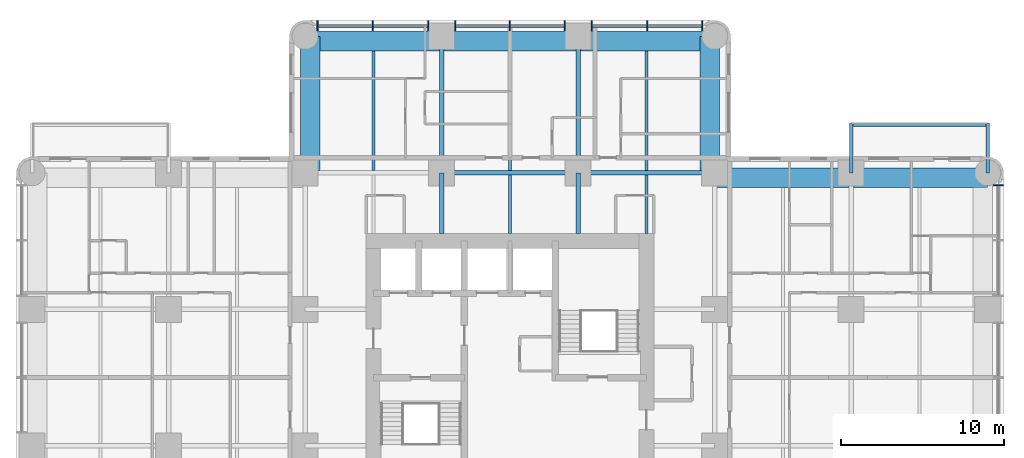
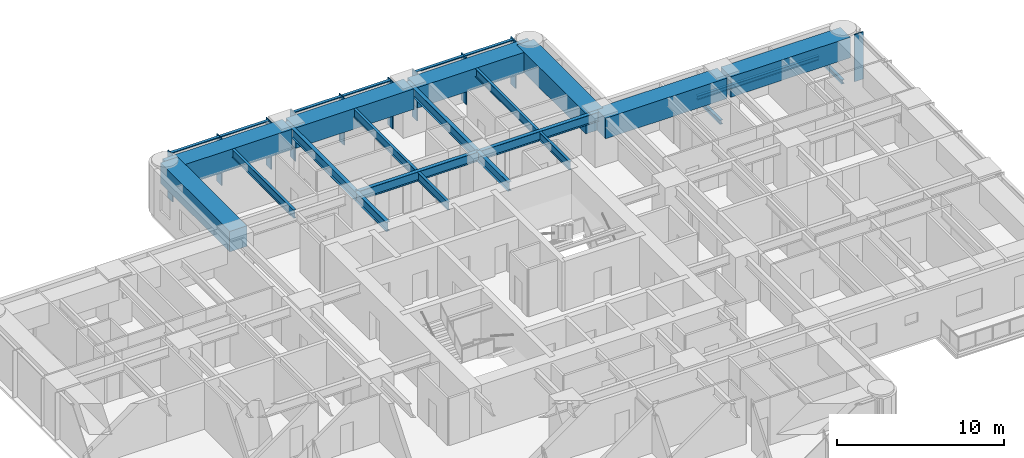
# One storey, part 4 of 15: 21 beams, 16 members, 2 elements without a shape of their own.
"""IFC4 building model written with IfcOpenShell, lengths in metres."""

from ifc_helpers import new_model, si_unit, direction, frame, origin, origin_2d, place, context, subcontext, project, spatial, rectangle, i_section, extrude, material, material_profile, profile_set, type_object, element, aggregate, save


model = new_model("IFC4")

# Units and contexts
model_context = context("Model", 3, precision=1e-05, world=origin(), true_north=direction((0.0, 1.0)))
body_context = subcontext(model_context, "Body", "Model", "MODEL_VIEW")
ifc_project = project(units=[si_unit("LENGTHUNIT", "METRE"), si_unit("AREAUNIT", "SQUARE_METRE"), si_unit("VOLUMEUNIT", "CUBIC_METRE"), si_unit("PLANEANGLEUNIT", "RADIAN"), si_unit("MASSUNIT", "GRAM", prefix="KILO")], contexts=[model_context])

# Site, building, storey
site_placement = place(None, origin())
site = spatial("IfcSite", under=ifc_project, at=site_placement, CompositionType="ELEMENT")
building_placement = place(site_placement, origin())
building = spatial("IfcBuilding", under=site, at=building_placement, Name="Torre Alcanfor", CompositionType="ELEMENT")
storey_placement = place(building_placement, frame((0.0, 0.0, 152.10009765625)))
storey = spatial("IfcBuildingStorey", under=building, at=storey_placement, Name="L39", CompositionType="ELEMENT", Elevation=152.10009765625)

# Beams
ifc_material_1 = material(Name="Steel ASTM A992 Grade 50", Category="steel")
ifc_material_profile_1 = material_profile(ifc_material_1, i_section(OverallWidth=0.205322265625, OverallDepth=0.309814453125, WebThickness=0.00927734375, FlangeThickness=0.016357421875, at=origin_2d()), Name="W12x50")
ifc_profile_set_1 = profile_set([ifc_material_profile_1], Name="Steel ASTM A992 Grade 50")
beam_type_1 = type_object("IfcBeamType", Name="Balcony cantilever beam W12x50", PredefinedType="BEAM", material=ifc_profile_set_1)
for number, where, z_axis, x_axis, name in (
    (1, (50.39990234375, 42.0, -0.35498046875), (0.0, 1.0, 0.0), (-1.0, 0.0, 0.0), "Balcony cantilever beam L39-E1 1"),
    (2, (58.800048828125, 42.0, -0.35498046875), (0.0, 1.0, 0.0), (-1.0, 0.0, 0.0), "Balcony cantilever beam L39-E1 2"),
):
    element("IfcBeam", number, at=place(storey_placement, frame(where, z_axis=z_axis, x_axis=x_axis)), inside=storey, type_object=beam_type_1, Name=name, PredefinedType="BEAM", context=body_context, shape_type="SweptSolid", body=[
        extrude(i_section(OverallWidth=0.205322265625, OverallDepth=0.309814453125, WebThickness=0.00927734375, FlangeThickness=0.016357421875, at=origin_2d()), origin(), (0.0, 0.0, 1.0), 3.050048828125),
    ])
ifc_material_2 = material(Name="Steel ASTM A992 Grade 50", Category="steel")
ifc_material_profile_2 = material_profile(ifc_material_2, i_section(OverallWidth=0.203369140625, OverallDepth=0.30224609375, WebThickness=0.007568359375, FlangeThickness=0.01318359375, at=origin_2d()), Name="W12x40")
ifc_profile_set_2 = profile_set([ifc_material_profile_2], Name="Steel ASTM A992 Grade 50")
beam_type_2 = type_object("IfcBeamType", Name="Balcony edge trimmer W12x40", PredefinedType="BEAM", material=ifc_profile_set_2)
beam_1_placement = place(storey_placement, frame((50.39990234375, 44.9482421875, -0.351318359375), z_axis=(1.0, 0.0, 0.0), x_axis=(0.0, 1.0, 0.0)))
element("IfcBeam", 3, at=beam_1_placement, inside=storey, type_object=beam_type_2, Name="Balcony edge trimmer L39-E1", PredefinedType="BEAM", context=body_context, shape_type="SweptSolid", body=[
    extrude(i_section(OverallWidth=0.203369140625, OverallDepth=0.30224609375, WebThickness=0.007568359375, FlangeThickness=0.01318359375, at=origin_2d()), origin(), (0.0, 0.0, 1.0), 8.400146484375),
])

# Curtain wall, member
ifc_material_3 = material(Name="Aluminium and glass", Category="aluminium")
curtain_wall_type = type_object("IfcCurtainWallType", Name="CW-A unitised apartment glazing with vertical FIN", PredefinedType="NOTDEFINED", material=ifc_material_3)
curtain_wall_1_placement = place(storey_placement, origin())
curtain_wall_1 = element("IfcCurtainWall", 4, at=curtain_wall_1_placement, inside=storey, type_object=curtain_wall_type, Name="Curtain wall CW-A L39 8", PredefinedType="NOTDEFINED")
ifc_material_4 = material(Name="Bronze anodised aluminium", Category="aluminium")
ifc_material_profile_3 = material_profile(ifc_material_4, rectangle(XDim=0.60009765625, YDim=0.06494140625, at=origin_2d()), Name="CW-A mullion 65x600")
ifc_profile_set_3 = profile_set([ifc_material_profile_3], Name="Bronze anodised aluminium")
member_type_1 = type_object("IfcMemberType", Name="CW-A mullion with vertical FIN 65x600", PredefinedType="MULLION", material=ifc_profile_set_3)
member_1_placement = place(storey_placement, frame((59.449951171875, 41.24267578125, 0.0), z_axis=(0.0, 0.0, 1.0), x_axis=(-1.0, 0.0, 0.0)))
member_1 = element("IfcMember", 5, at=member_1_placement, type_object=member_type_1, Name="CW-A mullion 3.3", PredefinedType="MULLION", context=body_context, shape_type="SweptSolid", body=[
    extrude(rectangle(XDim=0.60009765625, YDim=0.06494140625, at=origin_2d()), origin(), (0.0, 0.0, 1.0), 3.449951171875),
])
aggregate(curtain_wall_1, [member_1])

# Curtain wall, members
curtain_wall_2_placement = place(storey_placement, origin())
curtain_wall_2 = element("IfcCurtainWall", 6, at=curtain_wall_2_placement, inside=storey, type_object=curtain_wall_type, Name="Curtain wall CW-A L39 11", PredefinedType="NOTDEFINED")
member_2_placement = place(storey_placement, frame((41.24267578125, 51.050048828125, 0.0), z_axis=(0.0, 0.0, 1.0), x_axis=(0.0, -1.0, 0.0)))
member_2 = element("IfcMember", 7, at=member_2_placement, type_object=member_type_1, Name="CW-A mullion 1.1", PredefinedType="MULLION", context=body_context, shape_type="SweptSolid", body=[
    extrude(rectangle(XDim=0.60009765625, YDim=0.06494140625, at=origin_2d()), origin(), (0.0, 0.0, 1.0), 3.449951171875),
])
member_3_placement = place(storey_placement, frame((37.840087890625, 51.050048828125, 0.0), z_axis=(0.0, 0.0, 1.0), x_axis=(0.0, -1.0, 0.0)))
member_3 = element("IfcMember", 8, at=member_3_placement, type_object=member_type_1, Name="CW-A mullion 1.2", PredefinedType="MULLION", context=body_context, shape_type="SweptSolid", body=[
    extrude(rectangle(XDim=0.60009765625, YDim=0.06494140625, at=origin_2d()), origin(), (0.0, 0.0, 1.0), 3.449951171875),
])
member_4_placement = place(storey_placement, frame((34.4375, 51.050048828125, 0.0), z_axis=(0.0, 0.0, 1.0), x_axis=(0.0, -1.0, 0.0)))
member_4 = element("IfcMember", 9, at=member_4_placement, type_object=member_type_1, Name="CW-A mullion 1.3", PredefinedType="MULLION", context=body_context, shape_type="SweptSolid", body=[
    extrude(rectangle(XDim=0.60009765625, YDim=0.06494140625, at=origin_2d()), origin(), (0.0, 0.0, 1.0), 3.449951171875),
])
member_5_placement = place(storey_placement, frame((32.762451171875, 51.050048828125, 0.0), z_axis=(0.0, 0.0, 1.0), x_axis=(0.0, -1.0, 0.0)))
member_5 = element("IfcMember", 10, at=member_5_placement, type_object=member_type_1, Name="CW-A mullion 2.1", PredefinedType="MULLION", context=body_context, shape_type="SweptSolid", body=[
    extrude(rectangle(XDim=0.60009765625, YDim=0.06494140625, at=origin_2d()), origin(), (0.0, 0.0, 1.0), 3.449951171875),
])
member_6_placement = place(storey_placement, frame((29.39990234375, 51.050048828125, 0.0), z_axis=(0.0, 0.0, 1.0), x_axis=(0.0, -1.0, 0.0)))
member_6 = element("IfcMember", 11, at=member_6_placement, type_object=member_type_1, Name="CW-A mullion 2.2", PredefinedType="MULLION", context=body_context, shape_type="SweptSolid", body=[
    extrude(rectangle(XDim=0.60009765625, YDim=0.06494140625, at=origin_2d()), origin(), (0.0, 0.0, 1.0), 3.449951171875),
])
member_7_placement = place(storey_placement, frame((26.03759765625, 51.050048828125, 0.0), z_axis=(0.0, 0.0, 1.0), x_axis=(0.0, -1.0, 0.0)))
member_7 = element("IfcMember", 12, at=member_7_placement, type_object=member_type_1, Name="CW-A mullion 2.3", PredefinedType="MULLION", context=body_context, shape_type="SweptSolid", body=[
    extrude(rectangle(XDim=0.60009765625, YDim=0.06494140625, at=origin_2d()), origin(), (0.0, 0.0, 1.0), 3.449951171875),
])
member_8_placement = place(storey_placement, frame((24.362548828125, 51.050048828125, 0.0), z_axis=(0.0, 0.0, 1.0), x_axis=(0.0, -1.0, 0.0)))
member_8 = element("IfcMember", 13, at=member_8_placement, type_object=member_type_1, Name="CW-A mullion 3.1", PredefinedType="MULLION", context=body_context, shape_type="SweptSolid", body=[
    extrude(rectangle(XDim=0.60009765625, YDim=0.06494140625, at=origin_2d()), origin(), (0.0, 0.0, 1.0), 3.449951171875),
])
member_9_placement = place(storey_placement, frame((20.9599609375, 51.050048828125, 0.0), z_axis=(0.0, 0.0, 1.0), x_axis=(0.0, -1.0, 0.0)))
member_9 = element("IfcMember", 14, at=member_9_placement, type_object=member_type_1, Name="CW-A mullion 3.2", PredefinedType="MULLION", context=body_context, shape_type="SweptSolid", body=[
    extrude(rectangle(XDim=0.60009765625, YDim=0.06494140625, at=origin_2d()), origin(), (0.0, 0.0, 1.0), 3.449951171875),
])
member_10_placement = place(storey_placement, frame((17.557373046875, 51.050048828125, 0.0), z_axis=(0.0, 0.0, 1.0), x_axis=(0.0, -1.0, 0.0)))
member_10 = element("IfcMember", 15, at=member_10_placement, type_object=member_type_1, Name="CW-A mullion 3.3", PredefinedType="MULLION", context=body_context, shape_type="SweptSolid", body=[
    extrude(rectangle(XDim=0.60009765625, YDim=0.06494140625, at=origin_2d()), origin(), (0.0, 0.0, 1.0), 3.449951171875),
])
ifc_material_5 = material(Name="Extruded aluminium", Category="aluminium")
ifc_material_profile_4 = material_profile(ifc_material_5, rectangle(XDim=0.199951171875, YDim=0.06494140625, at=origin_2d()), Name="CW-A transom 200x65")
ifc_profile_set_4 = profile_set([ifc_material_profile_4], Name="Extruded aluminium")
member_type_2 = type_object("IfcMemberType", Name="CW-A transom 65x200", PredefinedType="USERDEFINED", material=ifc_profile_set_4)
member_11_placement = place(storey_placement, frame((41.210205078125, 51.050048828125, 3.41748046875), z_axis=(-1.0, 0.0, 0.0), x_axis=(0.0, -1.0, 0.0)))
member_11 = element("IfcMember", 16, at=member_11_placement, type_object=member_type_2, Name="CW-A transom 1.1.2", ObjectType="TRANSOM", PredefinedType="USERDEFINED", context=body_context, shape_type="SweptSolid", body=[
    extrude(rectangle(XDim=0.199951171875, YDim=0.06494140625, at=origin_2d()), origin(), (0.0, 0.0, 1.0), 3.337646484375),
])
member_12_placement = place(storey_placement, frame((37.8076171875, 51.050048828125, 3.41748046875), z_axis=(-1.0, 0.0, 0.0), x_axis=(0.0, -1.0, 0.0)))
member_12 = element("IfcMember", 17, at=member_12_placement, type_object=member_type_2, Name="CW-A transom 1.2.2", ObjectType="TRANSOM", PredefinedType="USERDEFINED", context=body_context, shape_type="SweptSolid", body=[
    extrude(rectangle(XDim=0.199951171875, YDim=0.06494140625, at=origin_2d()), origin(), (0.0, 0.0, 1.0), 3.337646484375),
])
member_13_placement = place(storey_placement, frame((32.72998046875, 51.050048828125, 3.41748046875), z_axis=(-1.0, 0.0, 0.0), x_axis=(0.0, -1.0, 0.0)))
member_13 = element("IfcMember", 18, at=member_13_placement, type_object=member_type_2, Name="CW-A transom 2.1.2", ObjectType="TRANSOM", PredefinedType="USERDEFINED", context=body_context, shape_type="SweptSolid", body=[
    extrude(rectangle(XDim=0.199951171875, YDim=0.06494140625, at=origin_2d()), origin(), (0.0, 0.0, 1.0), 3.29736328125),
])
member_14_placement = place(storey_placement, frame((29.367431640625, 51.050048828125, 3.41748046875), z_axis=(-1.0, 0.0, 0.0), x_axis=(0.0, -1.0, 0.0)))
member_14 = element("IfcMember", 19, at=member_14_placement, type_object=member_type_2, Name="CW-A transom 2.2.2", ObjectType="TRANSOM", PredefinedType="USERDEFINED", context=body_context, shape_type="SweptSolid", body=[
    extrude(rectangle(XDim=0.199951171875, YDim=0.06494140625, at=origin_2d()), origin(), (0.0, 0.0, 1.0), 3.29736328125),
])
member_15_placement = place(storey_placement, frame((24.330078125, 51.050048828125, 3.41748046875), z_axis=(-1.0, 0.0, 0.0), x_axis=(0.0, -1.0, 0.0)))
member_15 = element("IfcMember", 20, at=member_15_placement, type_object=member_type_2, Name="CW-A transom 3.1.2", ObjectType="TRANSOM", PredefinedType="USERDEFINED", context=body_context, shape_type="SweptSolid", body=[
    extrude(rectangle(XDim=0.199951171875, YDim=0.06494140625, at=origin_2d()), origin(), (0.0, 0.0, 1.0), 3.337646484375),
])
member_16_placement = place(storey_placement, frame((20.927490234375, 51.050048828125, 3.41748046875), z_axis=(-1.0, 0.0, 0.0), x_axis=(0.0, -1.0, 0.0)))
member_16 = element("IfcMember", 21, at=member_16_placement, type_object=member_type_2, Name="CW-A transom 3.2.2", ObjectType="TRANSOM", PredefinedType="USERDEFINED", context=body_context, shape_type="SweptSolid", body=[
    extrude(rectangle(XDim=0.199951171875, YDim=0.06494140625, at=origin_2d()), origin(), (0.0, 0.0, 1.0), 3.337646484375),
])
aggregate(curtain_wall_2, [member_2, member_3, member_4, member_11, member_12, member_5, member_6, member_7, member_13, member_14, member_8, member_9, member_10, member_15, member_16])

# Beams
ifc_material_6 = material(Name="Steel ASTM A992 Grade 50", Category="steel")
ifc_material_profile_5 = material_profile(ifc_material_6, i_section(OverallWidth=0.25390625, OverallDepth=0.683349609375, WebThickness=0.012451171875, FlangeThickness=0.01904296875, at=origin_2d()), Name="W27x94")
ifc_profile_set_5 = profile_set([ifc_material_profile_5], Name="Steel ASTM A992 Grade 50")
beam_type_3 = type_object("IfcBeamType", Name="Girder W27x94", PredefinedType="BEAM", material=ifc_profile_set_5)
beam_2_placement = place(storey_placement, frame((25.199951171875, 42.0, 3.108154296875), z_axis=(1.0, 0.0, 0.0), x_axis=(0.0, 1.0, 0.0)))
element("IfcBeam", 22, at=beam_2_placement, inside=storey, type_object=beam_type_3, Name="Beam 4H-5H under L40", PredefinedType="BEAM", context=body_context, shape_type="SweptSolid", body=[
    extrude(i_section(OverallWidth=0.25390625, OverallDepth=0.683349609375, WebThickness=0.012451171875, FlangeThickness=0.01904296875, at=origin_2d()), origin(), (0.0, 0.0, 1.0), 8.400146484375),
])
for number, where, z_axis, x_axis, name in (
    (23, (33.60009765625, 42.0, 3.108154296875), (1.0, 0.0, 0.0), (0.0, 1.0, 0.0), "Beam 5H-6H under L40"),
    (24, (25.199951171875, 42.0, 3.108154296875), (0.0, 1.0, 0.0), (-1.0, 0.0, 0.0), "Beam 4H-4J under L40"),
    (25, (33.60009765625, 42.0, 3.108154296875), (0.0, 1.0, 0.0), (-1.0, 0.0, 0.0), "Beam 5H-5J under L40"),
):
    element("IfcBeam", number, at=place(storey_placement, frame(where, z_axis=z_axis, x_axis=x_axis)), inside=storey, type_object=beam_type_3, Name=name, PredefinedType="BEAM", context=body_context, shape_type="SweptSolid", body=[
        extrude(i_section(OverallWidth=0.25390625, OverallDepth=0.683349609375, WebThickness=0.012451171875, FlangeThickness=0.01904296875, at=origin_2d()), origin(), (0.0, 0.0, 1.0), 8.39990234375),
    ])
ifc_material_7 = material(Name="Steel ASTM A992 Grade 50", Category="steel")
ifc_material_profile_6 = material_profile(ifc_material_7, i_section(OverallWidth=0.25390625, OverallDepth=0.683349609375, WebThickness=0.012451171875, FlangeThickness=0.01904296875, at=origin_2d()), Name="W27x94")
ifc_profile_set_6 = profile_set([ifc_material_profile_6], Name="Steel ASTM A992 Grade 50")
beam_type_4 = type_object("IfcBeamType", Name="Girder, part bay W27x94", PredefinedType="BEAM", material=ifc_profile_set_6)
for number, where, z_axis, x_axis, name in (
    (26, (25.199951171875, 42.0, 3.108154296875), (0.0, -1.0, 0.0), (1.0, 0.0, 0.0), "Beam 4H-438_25 under L40"),
    (27, (33.60009765625, 42.0, 3.108154296875), (0.0, -1.0, 0.0), (1.0, 0.0, 0.0), "Beam 5H-538_25 under L40"),
):
    element("IfcBeam", number, at=place(storey_placement, frame(where, z_axis=z_axis, x_axis=x_axis)), inside=storey, type_object=beam_type_4, Name=name, PredefinedType="BEAM", context=body_context, shape_type="SweptSolid", body=[
        extrude(i_section(OverallWidth=0.25390625, OverallDepth=0.683349609375, WebThickness=0.012451171875, FlangeThickness=0.01904296875, at=origin_2d()), origin(), (0.0, 0.0, 1.0), 3.75),
    ])
ifc_material_8 = material(Name="Concrete f'c 70 MPa", Category="concrete")
ifc_material_profile_7 = material_profile(ifc_material_8, rectangle(XDim=1.199951171875, YDim=1.5, at=origin_2d()), Name="1200x1500")
ifc_profile_set_7 = profile_set([ifc_material_profile_7], Name="Concrete f'c 70 MPa")
beam_type_5 = type_object("IfcBeamType", Name="RC perimeter beam 1200x1500", PredefinedType="BEAM", material=ifc_profile_set_7)
beam_3_placement = place(storey_placement, frame((41.873046875, 41.699951171875, 2.699951171875), z_axis=(1.0, 0.0, 0.0), x_axis=(0.0, 1.0, 0.0)))
element("IfcBeam", 28, at=beam_3_placement, inside=storey, type_object=beam_type_5, Name="Beam 6H-7H under L40", PredefinedType="BEAM", context=body_context, shape_type="SweptSolid", body=[
    extrude(rectangle(XDim=1.199951171875, YDim=1.5, at=origin_2d()), origin(), (0.0, 0.0, 1.0), 8.39990234375),
])
for number, where, z_axis, x_axis, name in (
    (29, (50.527099609375, 41.699951171875, 2.699951171875), (1.0, 0.0, 0.0), (0.0, 1.0, 0.0), "Beam 7H-8H under L40"),
    (30, (16.800048828125, 50.10009765625, 2.699951171875), (1.0, 0.0, 0.0), (0.0, 1.0, 0.0), "Beam 3J-4J under L40"),
):
    element("IfcBeam", number, at=place(storey_placement, frame(where, z_axis=z_axis, x_axis=x_axis)), inside=storey, type_object=beam_type_5, Name=name, PredefinedType="BEAM", context=body_context, shape_type="SweptSolid", body=[
        extrude(rectangle(XDim=1.199951171875, YDim=1.5, at=origin_2d()), origin(), (0.0, 0.0, 1.0), 8.27294921875),
    ])
beam_4_placement = place(storey_placement, frame((25.326904296875, 50.10009765625, 2.699951171875), z_axis=(1.0, 0.0, 0.0), x_axis=(0.0, 1.0, 0.0)))
element("IfcBeam", 31, at=beam_4_placement, inside=storey, type_object=beam_type_5, Name="Beam 4J-5J under L40", PredefinedType="BEAM", context=body_context, shape_type="SweptSolid", body=[
    extrude(rectangle(XDim=1.199951171875, YDim=1.5, at=origin_2d()), origin(), (0.0, 0.0, 1.0), 8.14599609375),
])
for number, where, z_axis, x_axis, name in (
    (32, (33.72705078125, 50.10009765625, 2.699951171875), (1.0, 0.0, 0.0), (0.0, 1.0, 0.0), "Beam 5J-6J under L40"),
    (33, (17.10009765625, 42.126953125, 2.699951171875), (0.0, 1.0, 0.0), (-1.0, 0.0, 0.0), "Beam 3H-3J under L40"),
    (34, (41.699951171875, 42.126953125, 2.699951171875), (0.0, 1.0, 0.0), (-1.0, 0.0, 0.0), "Beam 6H-6J under L40"),
):
    element("IfcBeam", number, at=place(storey_placement, frame(where, z_axis=z_axis, x_axis=x_axis)), inside=storey, type_object=beam_type_5, Name=name, PredefinedType="BEAM", context=body_context, shape_type="SweptSolid", body=[
        extrude(rectangle(XDim=1.199951171875, YDim=1.5, at=origin_2d()), origin(), (0.0, 0.0, 1.0), 8.27294921875),
    ])
ifc_material_9 = material(Name="Steel ASTM A992 Grade 50", Category="steel")
ifc_material_profile_8 = material_profile(ifc_material_9, i_section(OverallWidth=0.1787109375, OverallDepth=0.60205078125, WebThickness=0.010986328125, FlangeThickness=0.014892578125, at=origin_2d()), Name="W24x62")
ifc_profile_set_8 = profile_set([ifc_material_profile_8], Name="Steel ASTM A992 Grade 50")
beam_type_6 = type_object("IfcBeamType", Name="Secondary beam W24x62", PredefinedType="BEAM", material=ifc_profile_set_8)
for number, where, z_axis, x_axis, name in (
    (35, (21.0, 42.126953125, 3.14892578125), (0.0, 1.0, 0.0), (-1.0, 0.0, 0.0), "Beam 21H-21J under L40"),
    (36, (29.39990234375, 42.126953125, 3.14892578125), (0.0, 1.0, 0.0), (-1.0, 0.0, 0.0), "Beam 29_4H-29_4J under L40"),
    (37, (37.800048828125, 42.126953125, 3.14892578125), (0.0, 1.0, 0.0), (-1.0, 0.0, 0.0), "Beam 37_8H-37_8J under L40"),
):
    element("IfcBeam", number, at=place(storey_placement, frame(where, z_axis=z_axis, x_axis=x_axis)), inside=storey, type_object=beam_type_6, Name=name, PredefinedType="BEAM", context=body_context, shape_type="SweptSolid", body=[
        extrude(i_section(OverallWidth=0.1787109375, OverallDepth=0.60205078125, WebThickness=0.010986328125, FlangeThickness=0.014892578125, at=origin_2d()), origin(), (0.0, 0.0, 1.0), 7.373046875),
    ])
ifc_material_10 = material(Name="Steel ASTM A992 Grade 50", Category="steel")
ifc_material_profile_9 = material_profile(ifc_material_10, i_section(OverallWidth=0.1787109375, OverallDepth=0.60205078125, WebThickness=0.010986328125, FlangeThickness=0.014892578125, at=origin_2d()), Name="W24x62")
ifc_profile_set_9 = profile_set([ifc_material_profile_9], Name="Steel ASTM A992 Grade 50")
beam_type_7 = type_object("IfcBeamType", Name="Secondary beam, part bay W24x62", PredefinedType="BEAM", material=ifc_profile_set_9)
for number, where, z_axis, x_axis, name in (
    (38, (29.39990234375, 38.25, 3.14892578125), (0.0, 1.0, 0.0), (-1.0, 0.0, 0.0), "Beam 29_438_25-29_4H under L40"),
    (39, (37.800048828125, 38.25, 3.14892578125), (0.0, 1.0, 0.0), (-1.0, 0.0, 0.0), "Beam 37_838_25-37_8H under L40"),
):
    element("IfcBeam", number, at=place(storey_placement, frame(where, z_axis=z_axis, x_axis=x_axis)), inside=storey, type_object=beam_type_7, Name=name, PredefinedType="BEAM", context=body_context, shape_type="SweptSolid", body=[
        extrude(i_section(OverallWidth=0.1787109375, OverallDepth=0.60205078125, WebThickness=0.010986328125, FlangeThickness=0.014892578125, at=origin_2d()), origin(), (0.0, 0.0, 1.0), 3.623046875),
    ])

save(model, "model.ifc")
